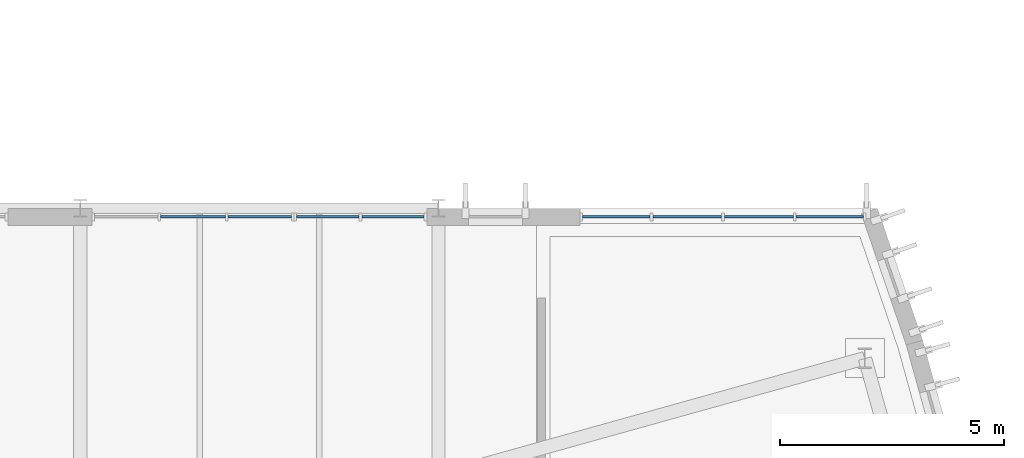
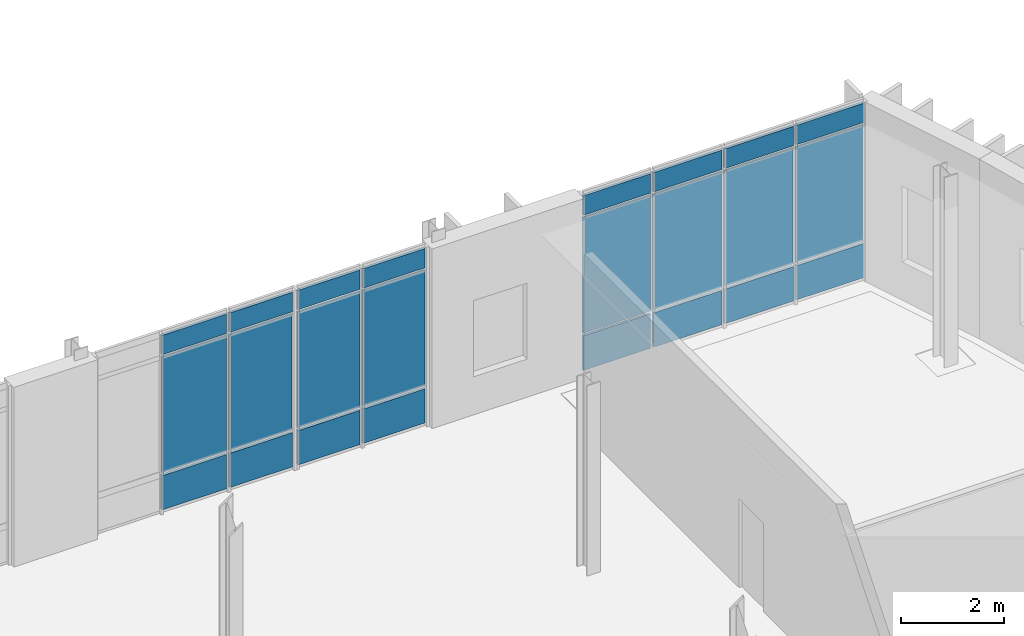
# One storey, part 54 of 86: 24 plates, 3 elements without a shape of their own.
"""IFC4 building model written with IfcOpenShell, lengths in metres."""

from ifc_helpers import new_model, si_unit, direction, frame, origin, origin_2d, place, context, subcontext, project, spatial, rectangle, extrude, material, layer, layer_set, type_object, element, aggregate, save


model = new_model("IFC4")

# Units and contexts
model_context = context("Model", 3, precision=1e-05, world=origin(), true_north=direction((0.0, 1.0)))
body_context = subcontext(model_context, "Body", "Model", "MODEL_VIEW")
ifc_project = project(units=[si_unit("LENGTHUNIT", "METRE"), si_unit("AREAUNIT", "SQUARE_METRE"), si_unit("VOLUMEUNIT", "CUBIC_METRE"), si_unit("PLANEANGLEUNIT", "RADIAN"), si_unit("MASSUNIT", "GRAM", prefix="KILO")], contexts=[model_context])

# Site, building, storey
site_placement = place(None, origin())
site = spatial("IfcSite", under=ifc_project, at=site_placement, CompositionType="ELEMENT")
building_placement = place(site_placement, origin())
building = spatial("IfcBuilding", under=site, at=building_placement, Name="Cymarion Research Institute", CompositionType="ELEMENT")
storey_placement = place(building_placement, frame((0.0, 0.0, 13.800048828125)))
storey = spatial("IfcBuildingStorey", under=building, at=storey_placement, Name="L03", CompositionType="ELEMENT", Elevation=13.800048828125)

# Curtain wall, plates
ifc_material_1 = material(Name="Anodised aluminium unitised curtain wall with Low-E glazing", Category="aluminium")
curtain_wall_type_1 = type_object("IfcCurtainWallType", Name="UNITISED CURTAIN WALL CW02 6390X4250", PredefinedType="NOTDEFINED", material=ifc_material_1)
curtain_wall_1_placement = place(storey_placement, origin())
curtain_wall_1 = element("IfcCurtainWall", 1, at=curtain_wall_1_placement, inside=storey, type_object=curtain_wall_type_1, Name="L03 V1 unitised curtain wall CW02 #126", PredefinedType="NOTDEFINED")
ifc_material_2 = material(Name="Insulated anodised aluminium spandrel panel", Category="aluminium")
ifc_layer_1 = layer(ifc_material_2, 0.06005859375)
ifc_layer_set_1 = layer_set([ifc_layer_1], Name="Insulated anodised aluminium spandrel panel")
plate_type_1 = type_object("IfcPlateType", Name="INSULATED ALUMINIUM SPANDREL PANEL SP01 60MM", PredefinedType="SHEET", material=ifc_layer_set_1)
plate_1_placement = place(storey_placement, frame((163.3330078125, 41.31005859375, 0.059814453125), z_axis=(0.0, 0.0, 1.0), x_axis=(-1.0, 0.0, 0.0)))
plate_1 = element("IfcPlate", 2, at=plate_1_placement, type_object=plate_type_1, Name="CW02 panel 1.1", PredefinedType="SHEET", context=body_context, shape_type="SweptSolid", body=[
    extrude(rectangle(XDim=1.506591796875, YDim=0.06005859375, at=origin_2d()), origin(), (0.0, 0.0, 1.0), 0.81005859375),
])
plate_2_placement = place(storey_placement, frame((163.3330078125, 41.31005859375, 3.72998046875), z_axis=(0.0, 0.0, 1.0), x_axis=(-1.0, 0.0, 0.0)))
plate_2 = element("IfcPlate", 3, at=plate_2_placement, type_object=plate_type_1, Name="CW02 panel 1.3", PredefinedType="SHEET", context=body_context, shape_type="SweptSolid", body=[
    extrude(rectangle(XDim=1.506591796875, YDim=0.06005859375, at=origin_2d()), origin(), (0.0, 0.0, 1.0), 0.4599609375),
])
plate_3_placement = place(storey_placement, frame((161.75146484375, 41.31005859375, 0.059814453125), z_axis=(0.0, 0.0, 1.0), x_axis=(-1.0, 0.0, 0.0)))
plate_3 = element("IfcPlate", 4, at=plate_3_placement, type_object=plate_type_1, Name="CW02 panel 2.1", PredefinedType="SHEET", context=body_context, shape_type="SweptSolid", body=[
    extrude(rectangle(XDim=1.53662109375, YDim=0.06005859375, at=origin_2d()), origin(), (0.0, 0.0, 1.0), 0.81005859375),
])
plate_4_placement = place(storey_placement, frame((161.75146484375, 41.31005859375, 3.72998046875), z_axis=(0.0, 0.0, 1.0), x_axis=(-1.0, 0.0, 0.0)))
plate_4 = element("IfcPlate", 5, at=plate_4_placement, type_object=plate_type_1, Name="CW02 panel 2.3", PredefinedType="SHEET", context=body_context, shape_type="SweptSolid", body=[
    extrude(rectangle(XDim=1.53662109375, YDim=0.06005859375, at=origin_2d()), origin(), (0.0, 0.0, 1.0), 0.4599609375),
])
plate_5_placement = place(storey_placement, frame((160.15478515625, 41.31005859375, 0.059814453125), z_axis=(0.0, 0.0, 1.0), x_axis=(-1.0, 0.0, 0.0)))
plate_5 = element("IfcPlate", 6, at=plate_5_placement, type_object=plate_type_1, Name="CW02 panel 3.1", PredefinedType="SHEET", context=body_context, shape_type="SweptSolid", body=[
    extrude(rectangle(XDim=1.53662109375, YDim=0.06005859375, at=origin_2d()), origin(), (0.0, 0.0, 1.0), 0.81005859375),
])
plate_6_placement = place(storey_placement, frame((160.15478515625, 41.31005859375, 3.72998046875), z_axis=(0.0, 0.0, 1.0), x_axis=(-1.0, 0.0, 0.0)))
plate_6 = element("IfcPlate", 7, at=plate_6_placement, type_object=plate_type_1, Name="CW02 panel 3.3", PredefinedType="SHEET", context=body_context, shape_type="SweptSolid", body=[
    extrude(rectangle(XDim=1.53662109375, YDim=0.06005859375, at=origin_2d()), origin(), (0.0, 0.0, 1.0), 0.4599609375),
])
plate_7_placement = place(storey_placement, frame((158.5732421875, 41.31005859375, 0.059814453125), z_axis=(0.0, 0.0, 1.0), x_axis=(-1.0, 0.0, 0.0)))
plate_7 = element("IfcPlate", 8, at=plate_7_placement, type_object=plate_type_1, Name="CW02 panel 4.1", PredefinedType="SHEET", context=body_context, shape_type="SweptSolid", body=[
    extrude(rectangle(XDim=1.506591796875, YDim=0.06005859375, at=origin_2d()), origin(), (0.0, 0.0, 1.0), 0.81005859375),
])
plate_8_placement = place(storey_placement, frame((158.5732421875, 41.31005859375, 3.72998046875), z_axis=(0.0, 0.0, 1.0), x_axis=(-1.0, 0.0, 0.0)))
plate_8 = element("IfcPlate", 9, at=plate_8_placement, type_object=plate_type_1, Name="CW02 panel 4.3", PredefinedType="SHEET", context=body_context, shape_type="SweptSolid", body=[
    extrude(rectangle(XDim=1.506591796875, YDim=0.06005859375, at=origin_2d()), origin(), (0.0, 0.0, 1.0), 0.4599609375),
])

curtain_wall_type_2 = type_object("IfcCurtainWallType", Name="UNITISED CURTAIN WALL CW03 2970X4250", PredefinedType="NOTDEFINED", material=ifc_material_1)
curtain_wall_2_placement = place(storey_placement, origin())
curtain_wall_2 = element("IfcCurtainWall", 10, at=curtain_wall_2_placement, inside=storey, type_object=curtain_wall_type_2, Name="L03 V1 unitised curtain wall CW03 #127", PredefinedType="NOTDEFINED")
plate_9_placement = place(storey_placement, frame((153.583251953125, 41.31005859375, 0.059814453125), z_axis=(0.0, 0.0, 1.0), x_axis=(-1.0, 0.0, 0.0)))
plate_9 = element("IfcPlate", 11, at=plate_9_placement, type_object=plate_type_1, Name="CW03 panel 1.1", PredefinedType="SHEET", context=body_context, shape_type="SweptSolid", body=[
    extrude(rectangle(XDim=1.393310546875, YDim=0.06005859375, at=origin_2d()), origin(), (0.0, 0.0, 1.0), 0.81005859375),
])
plate_10_placement = place(storey_placement, frame((153.583251953125, 41.31005859375, 3.72998046875), z_axis=(0.0, 0.0, 1.0), x_axis=(-1.0, 0.0, 0.0)))
plate_10 = element("IfcPlate", 12, at=plate_10_placement, type_object=plate_type_1, Name="CW03 panel 1.3", PredefinedType="SHEET", context=body_context, shape_type="SweptSolid", body=[
    extrude(rectangle(XDim=1.393310546875, YDim=0.06005859375, at=origin_2d()), origin(), (0.0, 0.0, 1.0), 0.4599609375),
])
plate_11_placement = place(storey_placement, frame((152.1298828125, 41.31005859375, 0.059814453125), z_axis=(0.0, 0.0, 1.0), x_axis=(-1.0, 0.0, 0.0)))
plate_11 = element("IfcPlate", 13, at=plate_11_placement, type_object=plate_type_1, Name="CW03 panel 2.1", PredefinedType="SHEET", context=body_context, shape_type="SweptSolid", body=[
    extrude(rectangle(XDim=1.393310546875, YDim=0.06005859375, at=origin_2d()), origin(), (0.0, 0.0, 1.0), 0.81005859375),
])
plate_12_placement = place(storey_placement, frame((152.1298828125, 41.31005859375, 3.72998046875), z_axis=(0.0, 0.0, 1.0), x_axis=(-1.0, 0.0, 0.0)))
plate_12 = element("IfcPlate", 14, at=plate_12_placement, type_object=plate_type_1, Name="CW03 panel 2.3", PredefinedType="SHEET", context=body_context, shape_type="SweptSolid", body=[
    extrude(rectangle(XDim=1.393310546875, YDim=0.06005859375, at=origin_2d()), origin(), (0.0, 0.0, 1.0), 0.4599609375),
])

curtain_wall_type_3 = type_object("IfcCurtainWallType", Name="UNITISED CURTAIN WALL CW04 4510X4250", PredefinedType="NOTDEFINED", material=ifc_material_1)
curtain_wall_3_placement = place(storey_placement, origin())
curtain_wall_3 = element("IfcCurtainWall", 15, at=curtain_wall_3_placement, inside=storey, type_object=curtain_wall_type_3, Name="L03 V1 unitised curtain wall CW04 #128", PredefinedType="NOTDEFINED")
plate_13_placement = place(storey_placement, frame((150.60595703125, 41.31005859375, 0.059814453125), z_axis=(0.0, 0.0, 1.0), x_axis=(-1.0, 0.0, 0.0)))
plate_13 = element("IfcPlate", 16, at=plate_13_placement, type_object=plate_type_1, Name="CW04 panel 1.1", PredefinedType="SHEET", context=body_context, shape_type="SweptSolid", body=[
    extrude(rectangle(XDim=1.414306640625, YDim=0.06005859375, at=origin_2d()), origin(), (0.0, 0.0, 1.0), 0.81005859375),
])
plate_14_placement = place(storey_placement, frame((150.60595703125, 41.31005859375, 3.72998046875), z_axis=(0.0, 0.0, 1.0), x_axis=(-1.0, 0.0, 0.0)))
plate_14 = element("IfcPlate", 17, at=plate_14_placement, type_object=plate_type_1, Name="CW04 panel 1.3", PredefinedType="SHEET", context=body_context, shape_type="SweptSolid", body=[
    extrude(rectangle(XDim=1.414306640625, YDim=0.06005859375, at=origin_2d()), origin(), (0.0, 0.0, 1.0), 0.4599609375),
])
plate_15_placement = place(storey_placement, frame((149.11669921875, 41.31005859375, 0.059814453125), z_axis=(0.0, 0.0, 1.0), x_axis=(-1.0, 0.0, 0.0)))
plate_15 = element("IfcPlate", 18, at=plate_15_placement, type_object=plate_type_1, Name="CW04 panel 2.1", PredefinedType="SHEET", context=body_context, shape_type="SweptSolid", body=[
    extrude(rectangle(XDim=1.4443359375, YDim=0.06005859375, at=origin_2d()), origin(), (0.0, 0.0, 1.0), 0.81005859375),
])
plate_16_placement = place(storey_placement, frame((149.11669921875, 41.31005859375, 3.72998046875), z_axis=(0.0, 0.0, 1.0), x_axis=(-1.0, 0.0, 0.0)))
plate_16 = element("IfcPlate", 19, at=plate_16_placement, type_object=plate_type_1, Name="CW04 panel 2.3", PredefinedType="SHEET", context=body_context, shape_type="SweptSolid", body=[
    extrude(rectangle(XDim=1.4443359375, YDim=0.06005859375, at=origin_2d()), origin(), (0.0, 0.0, 1.0), 0.4599609375),
])

# Plate
ifc_material_3 = material(Name="Low-E double solar-control glazing", Category="glass")
ifc_layer_2 = layer(ifc_material_3, 0.035888671875)
ifc_layer_set_2 = layer_set([ifc_layer_2], Name="Low-E double solar-control glazing")
plate_type_2 = type_object("IfcPlateType", Name="SOLAR CONTROL GLAZED VISION PANEL GP01 36MM", PredefinedType="CURTAIN_PANEL", material=ifc_layer_set_2)
plate_17_placement = place(storey_placement, frame((163.3330078125, 41.31005859375, 0.93017578125), z_axis=(0.0, 0.0, 1.0), x_axis=(-1.0, 0.0, 0.0)))
plate_17 = element("IfcPlate", 20, at=plate_17_placement, type_object=plate_type_2, Name="CW02 panel 1.2", PredefinedType="CURTAIN_PANEL", context=body_context, shape_type="SweptSolid", body=[
    extrude(rectangle(XDim=1.506591796875, YDim=0.035888671875, at=origin_2d()), origin(), (0.0, 0.0, 1.0), 2.739990234375),
])

plate_18_placement = place(storey_placement, frame((161.75146484375, 41.31005859375, 0.93017578125), z_axis=(0.0, 0.0, 1.0), x_axis=(-1.0, 0.0, 0.0)))
plate_18 = element("IfcPlate", 21, at=plate_18_placement, type_object=plate_type_2, Name="CW02 panel 2.2", PredefinedType="CURTAIN_PANEL", context=body_context, shape_type="SweptSolid", body=[
    extrude(rectangle(XDim=1.53662109375, YDim=0.035888671875, at=origin_2d()), origin(), (0.0, 0.0, 1.0), 2.739990234375),
])

plate_19_placement = place(storey_placement, frame((160.15478515625, 41.31005859375, 0.93017578125), z_axis=(0.0, 0.0, 1.0), x_axis=(-1.0, 0.0, 0.0)))
plate_19 = element("IfcPlate", 22, at=plate_19_placement, type_object=plate_type_2, Name="CW02 panel 3.2", PredefinedType="CURTAIN_PANEL", context=body_context, shape_type="SweptSolid", body=[
    extrude(rectangle(XDim=1.53662109375, YDim=0.035888671875, at=origin_2d()), origin(), (0.0, 0.0, 1.0), 2.739990234375),
])

plate_20_placement = place(storey_placement, frame((158.5732421875, 41.31005859375, 0.93017578125), z_axis=(0.0, 0.0, 1.0), x_axis=(-1.0, 0.0, 0.0)))
plate_20 = element("IfcPlate", 23, at=plate_20_placement, type_object=plate_type_2, Name="CW02 panel 4.2", PredefinedType="CURTAIN_PANEL", context=body_context, shape_type="SweptSolid", body=[
    extrude(rectangle(XDim=1.506591796875, YDim=0.035888671875, at=origin_2d()), origin(), (0.0, 0.0, 1.0), 2.739990234375),
])

aggregate(curtain_wall_1, [plate_1, plate_17, plate_2, plate_3, plate_18, plate_4, plate_5, plate_19, plate_6, plate_7, plate_20, plate_8])

plate_21_placement = place(storey_placement, frame((153.583251953125, 41.31005859375, 0.93017578125), z_axis=(0.0, 0.0, 1.0), x_axis=(-1.0, 0.0, 0.0)))
plate_21 = element("IfcPlate", 24, at=plate_21_placement, type_object=plate_type_2, Name="CW03 panel 1.2", PredefinedType="CURTAIN_PANEL", context=body_context, shape_type="SweptSolid", body=[
    extrude(rectangle(XDim=1.393310546875, YDim=0.035888671875, at=origin_2d()), origin(), (0.0, 0.0, 1.0), 2.739990234375),
])

plate_22_placement = place(storey_placement, frame((152.1298828125, 41.31005859375, 0.93017578125), z_axis=(0.0, 0.0, 1.0), x_axis=(-1.0, 0.0, 0.0)))
plate_22 = element("IfcPlate", 25, at=plate_22_placement, type_object=plate_type_2, Name="CW03 panel 2.2", PredefinedType="CURTAIN_PANEL", context=body_context, shape_type="SweptSolid", body=[
    extrude(rectangle(XDim=1.393310546875, YDim=0.035888671875, at=origin_2d()), origin(), (0.0, 0.0, 1.0), 2.739990234375),
])

aggregate(curtain_wall_2, [plate_9, plate_21, plate_10, plate_11, plate_22, plate_12])

plate_23_placement = place(storey_placement, frame((150.60595703125, 41.31005859375, 0.93017578125), z_axis=(0.0, 0.0, 1.0), x_axis=(-1.0, 0.0, 0.0)))
plate_23 = element("IfcPlate", 26, at=plate_23_placement, type_object=plate_type_2, Name="CW04 panel 1.2", PredefinedType="CURTAIN_PANEL", context=body_context, shape_type="SweptSolid", body=[
    extrude(rectangle(XDim=1.414306640625, YDim=0.035888671875, at=origin_2d()), origin(), (0.0, 0.0, 1.0), 2.739990234375),
])

plate_24_placement = place(storey_placement, frame((149.11669921875, 41.31005859375, 0.93017578125), z_axis=(0.0, 0.0, 1.0), x_axis=(-1.0, 0.0, 0.0)))
plate_24 = element("IfcPlate", 27, at=plate_24_placement, type_object=plate_type_2, Name="CW04 panel 2.2", PredefinedType="CURTAIN_PANEL", context=body_context, shape_type="SweptSolid", body=[
    extrude(rectangle(XDim=1.4443359375, YDim=0.035888671875, at=origin_2d()), origin(), (0.0, 0.0, 1.0), 2.739990234375),
])

aggregate(curtain_wall_3, [plate_13, plate_23, plate_14, plate_15, plate_24, plate_16])

save(model, "model.ifc")
